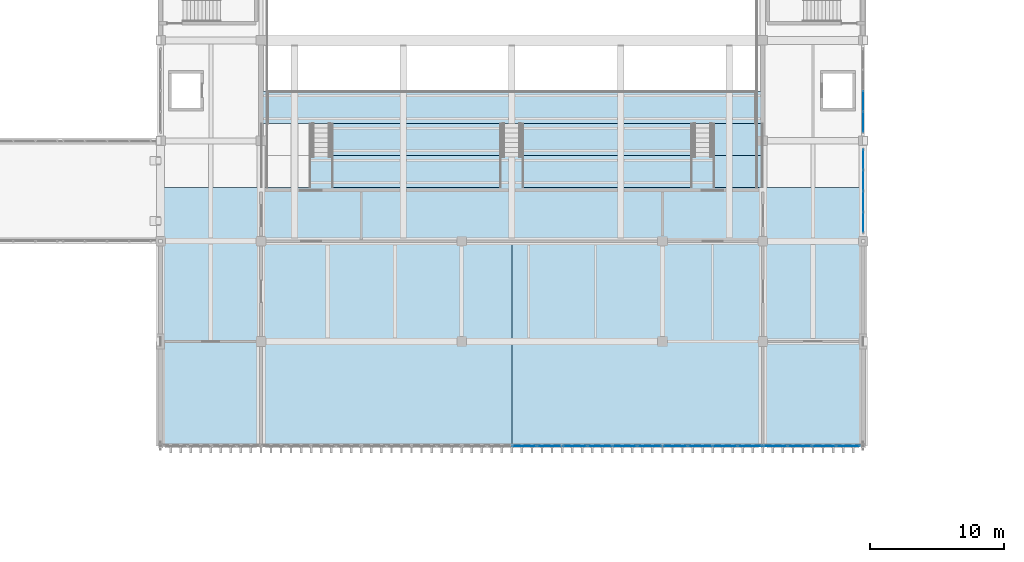
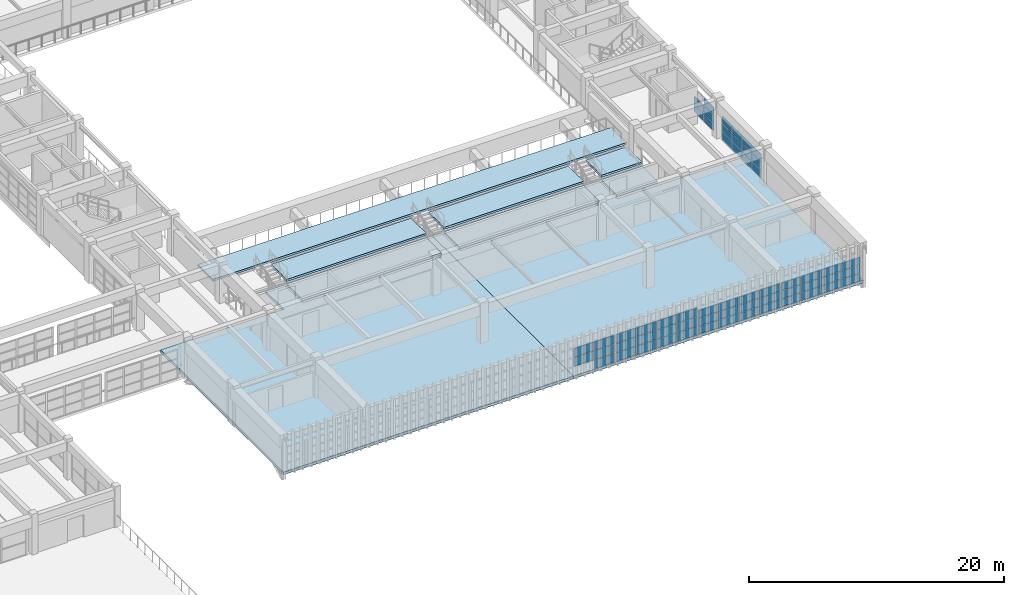
# One storey, part 65 of 101: 58 plates, 9 slabs, 6 elements without a shape of their own.
"""IFC4 building model written with IfcOpenShell, lengths in metres."""

from ifc_helpers import new_model, si_unit, direction, frame, origin, origin_2d, place, context, subcontext, project, spatial, polyline, rectangle, outline, extrude, material, layer, layer_set, type_object, element, aggregate, save


model = new_model("IFC4")

# Units and contexts
model_context = context("Model", 3, precision=1e-05, world=origin(), true_north=direction((0.0, 1.0)))
body_context = subcontext(model_context, "Body", "Model", "MODEL_VIEW")
ifc_project = project(units=[si_unit("LENGTHUNIT", "METRE"), si_unit("AREAUNIT", "SQUARE_METRE"), si_unit("VOLUMEUNIT", "CUBIC_METRE"), si_unit("PLANEANGLEUNIT", "RADIAN"), si_unit("MASSUNIT", "GRAM", prefix="KILO")], contexts=[model_context])

# Site, building, storey
site_placement = place(None, origin())
site = spatial("IfcSite", under=ifc_project, at=site_placement, CompositionType="ELEMENT")
building_placement = place(site_placement, origin())
building = spatial("IfcBuilding", under=site, at=building_placement, Name="Qasida Concert Hall", CompositionType="ELEMENT")
storey_placement = place(building_placement, frame((0.0, 0.0, 13.199951171875)))
storey = spatial("IfcBuildingStorey", under=building, at=storey_placement, Name="L03", CompositionType="ELEMENT", Elevation=13.199951171875)

# Curtain wall, plates
ifc_material_1 = material(Name="Architectural bronze-anodized aluminium and low-E glass", Category="aluminium")
curtain_wall_type = type_object("IfcCurtainWallType", Name="CW-04", PredefinedType="NOTDEFINED", material=ifc_material_1)
curtain_wall_1_placement = place(storey_placement, origin())
curtain_wall_1 = element("IfcCurtainWall", 1, at=curtain_wall_1_placement, inside=storey, type_object=curtain_wall_type, Name="L03 curtain wall CW-04 0018", PredefinedType="NOTDEFINED")
ifc_material_2 = material(Name="Solar-control low-E double glazing", Category="glass")
ifc_layer_1 = layer(ifc_material_2, 0.031982421875, Name="Solar-control low-E double glazing")
ifc_layer_set_1 = layer_set([ifc_layer_1], Name="Solar-control low-E double glazing")
plate_type = type_object("IfcPlateType", Name="PLT-CWP-2", PredefinedType="CURTAIN_PANEL", material=ifc_layer_set_1)
plate_1_placement = place(storey_placement, frame((79.6826171875, 14.699951171875, 0.9267578125), z_axis=(0.0, 0.0, 1.0), x_axis=(1.0, 0.0, 0.0)))
plate_1 = element("IfcPlate", 2, at=plate_1_placement, type_object=plate_type, Name="CW-04 panel 3.2", PredefinedType="CURTAIN_PANEL", context=body_context, shape_type="SweptSolid", body=[
    extrude(rectangle(XDim=1.800048828125, YDim=0.031982421875, at=origin_2d()), origin(), (0.0, 0.0, 1.0), 0.836669921875),
])
plate_2_placement = place(storey_placement, frame((79.6826171875, 14.699951171875, 1.823486328125), z_axis=(0.0, 0.0, 1.0), x_axis=(1.0, 0.0, 0.0)))
plate_2 = element("IfcPlate", 3, at=plate_2_placement, type_object=plate_type, Name="CW-04 panel 3.3", PredefinedType="CURTAIN_PANEL", context=body_context, shape_type="SweptSolid", body=[
    extrude(rectangle(XDim=1.800048828125, YDim=0.031982421875, at=origin_2d()), origin(), (0.0, 0.0, 1.0), 0.806640625),
])
plate_3_placement = place(storey_placement, frame((81.53125, 14.699951171875, 0.06005859375), z_axis=(0.0, 0.0, 1.0), x_axis=(1.0, 0.0, 0.0)))
plate_3 = element("IfcPlate", 4, at=plate_3_placement, type_object=plate_type, Name="CW-04 panel 4.1", PredefinedType="CURTAIN_PANEL", context=body_context, shape_type="SweptSolid", body=[
    extrude(rectangle(XDim=1.767578125, YDim=0.031982421875, at=origin_2d()), origin(), (0.0, 0.0, 1.0), 0.806640625),
])
plate_4_placement = place(storey_placement, frame((81.53125, 14.699951171875, 0.9267578125), z_axis=(0.0, 0.0, 1.0), x_axis=(1.0, 0.0, 0.0)))
plate_4 = element("IfcPlate", 5, at=plate_4_placement, type_object=plate_type, Name="CW-04 panel 4.2", PredefinedType="CURTAIN_PANEL", context=body_context, shape_type="SweptSolid", body=[
    extrude(rectangle(XDim=1.767578125, YDim=0.031982421875, at=origin_2d()), origin(), (0.0, 0.0, 1.0), 0.836669921875),
])
plate_5_placement = place(storey_placement, frame((81.53125, 14.699951171875, 1.823486328125), z_axis=(0.0, 0.0, 1.0), x_axis=(1.0, 0.0, 0.0)))
plate_5 = element("IfcPlate", 6, at=plate_5_placement, type_object=plate_type, Name="CW-04 panel 4.3", PredefinedType="CURTAIN_PANEL", context=body_context, shape_type="SweptSolid", body=[
    extrude(rectangle(XDim=1.767578125, YDim=0.031982421875, at=origin_2d()), origin(), (0.0, 0.0, 1.0), 0.806640625),
])
aggregate(curtain_wall_1, [plate_1, plate_2, plate_3, plate_4, plate_5])

curtain_wall_2_placement = place(storey_placement, origin())
curtain_wall_2 = element("IfcCurtainWall", 7, at=curtain_wall_2_placement, inside=storey, type_object=curtain_wall_type, Name="L03 curtain wall CW-04 0019", PredefinedType="NOTDEFINED")
plate_6_placement = place(storey_placement, frame((83.46875, 14.699951171875, 0.06005859375), z_axis=(0.0, 0.0, 1.0), x_axis=(1.0, 0.0, 0.0)))
plate_6 = element("IfcPlate", 8, at=plate_6_placement, type_object=plate_type, Name="CW-04 panel 1.1", PredefinedType="CURTAIN_PANEL", context=body_context, shape_type="SweptSolid", body=[
    extrude(rectangle(XDim=1.767578125, YDim=0.031982421875, at=origin_2d()), origin(), (0.0, 0.0, 1.0), 0.806640625),
])
plate_7_placement = place(storey_placement, frame((83.46875, 14.699951171875, 0.9267578125), z_axis=(0.0, 0.0, 1.0), x_axis=(1.0, 0.0, 0.0)))
plate_7 = element("IfcPlate", 9, at=plate_7_placement, type_object=plate_type, Name="CW-04 panel 1.2", PredefinedType="CURTAIN_PANEL", context=body_context, shape_type="SweptSolid", body=[
    extrude(rectangle(XDim=1.767578125, YDim=0.031982421875, at=origin_2d()), origin(), (0.0, 0.0, 1.0), 0.836669921875),
])
plate_8_placement = place(storey_placement, frame((83.46875, 14.699951171875, 1.823486328125), z_axis=(0.0, 0.0, 1.0), x_axis=(1.0, 0.0, 0.0)))
plate_8 = element("IfcPlate", 10, at=plate_8_placement, type_object=plate_type, Name="CW-04 panel 1.3", PredefinedType="CURTAIN_PANEL", context=body_context, shape_type="SweptSolid", body=[
    extrude(rectangle(XDim=1.767578125, YDim=0.031982421875, at=origin_2d()), origin(), (0.0, 0.0, 1.0), 0.806640625),
])
plate_9_placement = place(storey_placement, frame((85.3173828125, 14.699951171875, 0.06005859375), z_axis=(0.0, 0.0, 1.0), x_axis=(1.0, 0.0, 0.0)))
plate_9 = element("IfcPlate", 11, at=plate_9_placement, type_object=plate_type, Name="CW-04 panel 2.1", PredefinedType="CURTAIN_PANEL", context=body_context, shape_type="SweptSolid", body=[
    extrude(rectangle(XDim=1.800048828125, YDim=0.031982421875, at=origin_2d()), origin(), (0.0, 0.0, 1.0), 0.806640625),
])
plate_10_placement = place(storey_placement, frame((85.3173828125, 14.699951171875, 0.9267578125), z_axis=(0.0, 0.0, 1.0), x_axis=(1.0, 0.0, 0.0)))
plate_10 = element("IfcPlate", 12, at=plate_10_placement, type_object=plate_type, Name="CW-04 panel 2.2", PredefinedType="CURTAIN_PANEL", context=body_context, shape_type="SweptSolid", body=[
    extrude(rectangle(XDim=1.800048828125, YDim=0.031982421875, at=origin_2d()), origin(), (0.0, 0.0, 1.0), 0.836669921875),
])
plate_11_placement = place(storey_placement, frame((85.3173828125, 14.699951171875, 1.823486328125), z_axis=(0.0, 0.0, 1.0), x_axis=(1.0, 0.0, 0.0)))
plate_11 = element("IfcPlate", 13, at=plate_11_placement, type_object=plate_type, Name="CW-04 panel 2.3", PredefinedType="CURTAIN_PANEL", context=body_context, shape_type="SweptSolid", body=[
    extrude(rectangle(XDim=1.800048828125, YDim=0.031982421875, at=origin_2d()), origin(), (0.0, 0.0, 1.0), 0.806640625),
])
plate_12_placement = place(storey_placement, frame((87.1826171875, 14.699951171875, 0.06005859375), z_axis=(0.0, 0.0, 1.0), x_axis=(1.0, 0.0, 0.0)))
plate_12 = element("IfcPlate", 14, at=plate_12_placement, type_object=plate_type, Name="CW-04 panel 3.1", PredefinedType="CURTAIN_PANEL", context=body_context, shape_type="SweptSolid", body=[
    extrude(rectangle(XDim=1.800048828125, YDim=0.031982421875, at=origin_2d()), origin(), (0.0, 0.0, 1.0), 0.806640625),
])
plate_13_placement = place(storey_placement, frame((87.1826171875, 14.699951171875, 0.9267578125), z_axis=(0.0, 0.0, 1.0), x_axis=(1.0, 0.0, 0.0)))
plate_13 = element("IfcPlate", 15, at=plate_13_placement, type_object=plate_type, Name="CW-04 panel 3.2", PredefinedType="CURTAIN_PANEL", context=body_context, shape_type="SweptSolid", body=[
    extrude(rectangle(XDim=1.800048828125, YDim=0.031982421875, at=origin_2d()), origin(), (0.0, 0.0, 1.0), 0.836669921875),
])
plate_14_placement = place(storey_placement, frame((87.1826171875, 14.699951171875, 1.823486328125), z_axis=(0.0, 0.0, 1.0), x_axis=(1.0, 0.0, 0.0)))
plate_14 = element("IfcPlate", 16, at=plate_14_placement, type_object=plate_type, Name="CW-04 panel 3.3", PredefinedType="CURTAIN_PANEL", context=body_context, shape_type="SweptSolid", body=[
    extrude(rectangle(XDim=1.800048828125, YDim=0.031982421875, at=origin_2d()), origin(), (0.0, 0.0, 1.0), 0.806640625),
])
plate_15_placement = place(storey_placement, frame((89.03125, 14.699951171875, 0.06005859375), z_axis=(0.0, 0.0, 1.0), x_axis=(1.0, 0.0, 0.0)))
plate_15 = element("IfcPlate", 17, at=plate_15_placement, type_object=plate_type, Name="CW-04 panel 4.1", PredefinedType="CURTAIN_PANEL", context=body_context, shape_type="SweptSolid", body=[
    extrude(rectangle(XDim=1.767578125, YDim=0.031982421875, at=origin_2d()), origin(), (0.0, 0.0, 1.0), 0.806640625),
])
plate_16_placement = place(storey_placement, frame((89.03125, 14.699951171875, 0.9267578125), z_axis=(0.0, 0.0, 1.0), x_axis=(1.0, 0.0, 0.0)))
plate_16 = element("IfcPlate", 18, at=plate_16_placement, type_object=plate_type, Name="CW-04 panel 4.2", PredefinedType="CURTAIN_PANEL", context=body_context, shape_type="SweptSolid", body=[
    extrude(rectangle(XDim=1.767578125, YDim=0.031982421875, at=origin_2d()), origin(), (0.0, 0.0, 1.0), 0.836669921875),
])
plate_17_placement = place(storey_placement, frame((89.03125, 14.699951171875, 1.823486328125), z_axis=(0.0, 0.0, 1.0), x_axis=(1.0, 0.0, 0.0)))
plate_17 = element("IfcPlate", 19, at=plate_17_placement, type_object=plate_type, Name="CW-04 panel 4.3", PredefinedType="CURTAIN_PANEL", context=body_context, shape_type="SweptSolid", body=[
    extrude(rectangle(XDim=1.767578125, YDim=0.031982421875, at=origin_2d()), origin(), (0.0, 0.0, 1.0), 0.806640625),
])
aggregate(curtain_wall_2, [plate_6, plate_7, plate_8, plate_9, plate_10, plate_11, plate_12, plate_13, plate_14, plate_15, plate_16, plate_17])

curtain_wall_3_placement = place(storey_placement, origin())
curtain_wall_3 = element("IfcCurtainWall", 20, at=curtain_wall_3_placement, inside=storey, type_object=curtain_wall_type, Name="L03 curtain wall CW-04 0020", PredefinedType="NOTDEFINED")
plate_18_placement = place(storey_placement, frame((90.96875, 14.699951171875, 0.06005859375), z_axis=(0.0, 0.0, 1.0), x_axis=(1.0, 0.0, 0.0)))
plate_18 = element("IfcPlate", 21, at=plate_18_placement, type_object=plate_type, Name="CW-04 panel 1.1", PredefinedType="CURTAIN_PANEL", context=body_context, shape_type="SweptSolid", body=[
    extrude(rectangle(XDim=1.767578125, YDim=0.031982421875, at=origin_2d()), origin(), (0.0, 0.0, 1.0), 0.706787109375),
])
plate_19_placement = place(storey_placement, frame((90.96875, 14.699951171875, 0.82666015625), z_axis=(0.0, 0.0, 1.0), x_axis=(1.0, 0.0, 0.0)))
plate_19 = element("IfcPlate", 22, at=plate_19_placement, type_object=plate_type, Name="CW-04 panel 1.2", PredefinedType="CURTAIN_PANEL", context=body_context, shape_type="SweptSolid", body=[
    extrude(rectangle(XDim=1.767578125, YDim=0.031982421875, at=origin_2d()), origin(), (0.0, 0.0, 1.0), 0.736572265625),
])
plate_20_placement = place(storey_placement, frame((90.96875, 14.699951171875, 1.62353515625), z_axis=(0.0, 0.0, 1.0), x_axis=(1.0, 0.0, 0.0)))
plate_20 = element("IfcPlate", 23, at=plate_20_placement, type_object=plate_type, Name="CW-04 panel 1.3", PredefinedType="CURTAIN_PANEL", context=body_context, shape_type="SweptSolid", body=[
    extrude(rectangle(XDim=1.767578125, YDim=0.031982421875, at=origin_2d()), origin(), (0.0, 0.0, 1.0), 0.706787109375),
])
plate_21_placement = place(storey_placement, frame((92.8173828125, 14.699951171875, 0.06005859375), z_axis=(0.0, 0.0, 1.0), x_axis=(1.0, 0.0, 0.0)))
plate_21 = element("IfcPlate", 24, at=plate_21_placement, type_object=plate_type, Name="CW-04 panel 2.1", PredefinedType="CURTAIN_PANEL", context=body_context, shape_type="SweptSolid", body=[
    extrude(rectangle(XDim=1.800048828125, YDim=0.031982421875, at=origin_2d()), origin(), (0.0, 0.0, 1.0), 0.706787109375),
])
plate_22_placement = place(storey_placement, frame((92.8173828125, 14.699951171875, 0.82666015625), z_axis=(0.0, 0.0, 1.0), x_axis=(1.0, 0.0, 0.0)))
plate_22 = element("IfcPlate", 25, at=plate_22_placement, type_object=plate_type, Name="CW-04 panel 2.2", PredefinedType="CURTAIN_PANEL", context=body_context, shape_type="SweptSolid", body=[
    extrude(rectangle(XDim=1.800048828125, YDim=0.031982421875, at=origin_2d()), origin(), (0.0, 0.0, 1.0), 0.736572265625),
])
plate_23_placement = place(storey_placement, frame((92.8173828125, 14.699951171875, 1.62353515625), z_axis=(0.0, 0.0, 1.0), x_axis=(1.0, 0.0, 0.0)))
plate_23 = element("IfcPlate", 26, at=plate_23_placement, type_object=plate_type, Name="CW-04 panel 2.3", PredefinedType="CURTAIN_PANEL", context=body_context, shape_type="SweptSolid", body=[
    extrude(rectangle(XDim=1.800048828125, YDim=0.031982421875, at=origin_2d()), origin(), (0.0, 0.0, 1.0), 0.706787109375),
])
plate_24_placement = place(storey_placement, frame((94.6826171875, 14.699951171875, 0.06005859375), z_axis=(0.0, 0.0, 1.0), x_axis=(1.0, 0.0, 0.0)))
plate_24 = element("IfcPlate", 27, at=plate_24_placement, type_object=plate_type, Name="CW-04 panel 3.1", PredefinedType="CURTAIN_PANEL", context=body_context, shape_type="SweptSolid", body=[
    extrude(rectangle(XDim=1.800048828125, YDim=0.031982421875, at=origin_2d()), origin(), (0.0, 0.0, 1.0), 0.706787109375),
])
plate_25_placement = place(storey_placement, frame((94.6826171875, 14.699951171875, 0.82666015625), z_axis=(0.0, 0.0, 1.0), x_axis=(1.0, 0.0, 0.0)))
plate_25 = element("IfcPlate", 28, at=plate_25_placement, type_object=plate_type, Name="CW-04 panel 3.2", PredefinedType="CURTAIN_PANEL", context=body_context, shape_type="SweptSolid", body=[
    extrude(rectangle(XDim=1.800048828125, YDim=0.031982421875, at=origin_2d()), origin(), (0.0, 0.0, 1.0), 0.736572265625),
])
plate_26_placement = place(storey_placement, frame((94.6826171875, 14.699951171875, 1.62353515625), z_axis=(0.0, 0.0, 1.0), x_axis=(1.0, 0.0, 0.0)))
plate_26 = element("IfcPlate", 29, at=plate_26_placement, type_object=plate_type, Name="CW-04 panel 3.3", PredefinedType="CURTAIN_PANEL", context=body_context, shape_type="SweptSolid", body=[
    extrude(rectangle(XDim=1.800048828125, YDim=0.031982421875, at=origin_2d()), origin(), (0.0, 0.0, 1.0), 0.706787109375),
])
plate_27_placement = place(storey_placement, frame((96.53125, 14.699951171875, 0.06005859375), z_axis=(0.0, 0.0, 1.0), x_axis=(1.0, 0.0, 0.0)))
plate_27 = element("IfcPlate", 30, at=plate_27_placement, type_object=plate_type, Name="CW-04 panel 4.1", PredefinedType="CURTAIN_PANEL", context=body_context, shape_type="SweptSolid", body=[
    extrude(rectangle(XDim=1.767578125, YDim=0.031982421875, at=origin_2d()), origin(), (0.0, 0.0, 1.0), 0.706787109375),
])
plate_28_placement = place(storey_placement, frame((96.53125, 14.699951171875, 0.82666015625), z_axis=(0.0, 0.0, 1.0), x_axis=(1.0, 0.0, 0.0)))
plate_28 = element("IfcPlate", 31, at=plate_28_placement, type_object=plate_type, Name="CW-04 panel 4.2", PredefinedType="CURTAIN_PANEL", context=body_context, shape_type="SweptSolid", body=[
    extrude(rectangle(XDim=1.767578125, YDim=0.031982421875, at=origin_2d()), origin(), (0.0, 0.0, 1.0), 0.736572265625),
])
plate_29_placement = place(storey_placement, frame((96.53125, 14.699951171875, 1.62353515625), z_axis=(0.0, 0.0, 1.0), x_axis=(1.0, 0.0, 0.0)))
plate_29 = element("IfcPlate", 32, at=plate_29_placement, type_object=plate_type, Name="CW-04 panel 4.3", PredefinedType="CURTAIN_PANEL", context=body_context, shape_type="SweptSolid", body=[
    extrude(rectangle(XDim=1.767578125, YDim=0.031982421875, at=origin_2d()), origin(), (0.0, 0.0, 1.0), 0.706787109375),
])
aggregate(curtain_wall_3, [plate_18, plate_19, plate_20, plate_21, plate_22, plate_23, plate_24, plate_25, plate_26, plate_27, plate_28, plate_29])

curtain_wall_4_placement = place(storey_placement, origin())
curtain_wall_4 = element("IfcCurtainWall", 33, at=curtain_wall_4_placement, inside=storey, type_object=curtain_wall_type, Name="L03 curtain wall CW-04 0021", PredefinedType="NOTDEFINED")
plate_30_placement = place(storey_placement, frame((98.4462890625, 14.699951171875, 0.06005859375), z_axis=(0.0, 0.0, 1.0), x_axis=(1.0, 0.0, 0.0)))
plate_30 = element("IfcPlate", 34, at=plate_30_placement, type_object=plate_type, Name="CW-04 panel 1.1", PredefinedType="CURTAIN_PANEL", context=body_context, shape_type="SweptSolid", body=[
    extrude(rectangle(XDim=1.722412109375, YDim=0.031982421875, at=origin_2d()), origin(), (0.0, 0.0, 1.0), 0.706787109375),
])
plate_31_placement = place(storey_placement, frame((98.4462890625, 14.699951171875, 0.82666015625), z_axis=(0.0, 0.0, 1.0), x_axis=(1.0, 0.0, 0.0)))
plate_31 = element("IfcPlate", 35, at=plate_31_placement, type_object=plate_type, Name="CW-04 panel 1.2", PredefinedType="CURTAIN_PANEL", context=body_context, shape_type="SweptSolid", body=[
    extrude(rectangle(XDim=1.722412109375, YDim=0.031982421875, at=origin_2d()), origin(), (0.0, 0.0, 1.0), 0.736572265625),
])
plate_32_placement = place(storey_placement, frame((98.4462890625, 14.699951171875, 1.62353515625), z_axis=(0.0, 0.0, 1.0), x_axis=(1.0, 0.0, 0.0)))
plate_32 = element("IfcPlate", 36, at=plate_32_placement, type_object=plate_type, Name="CW-04 panel 1.3", PredefinedType="CURTAIN_PANEL", context=body_context, shape_type="SweptSolid", body=[
    extrude(rectangle(XDim=1.722412109375, YDim=0.031982421875, at=origin_2d()), origin(), (0.0, 0.0, 1.0), 0.706787109375),
])
plate_33_placement = place(storey_placement, frame((100.25, 14.699951171875, 0.06005859375), z_axis=(0.0, 0.0, 1.0), x_axis=(1.0, 0.0, 0.0)))
plate_33 = element("IfcPlate", 37, at=plate_33_placement, type_object=plate_type, Name="CW-04 panel 2.1", PredefinedType="CURTAIN_PANEL", context=body_context, shape_type="SweptSolid", body=[
    extrude(rectangle(XDim=1.7548828125, YDim=0.031982421875, at=origin_2d()), origin(), (0.0, 0.0, 1.0), 0.706787109375),
])
plate_34_placement = place(storey_placement, frame((100.25, 14.699951171875, 0.82666015625), z_axis=(0.0, 0.0, 1.0), x_axis=(1.0, 0.0, 0.0)))
plate_34 = element("IfcPlate", 38, at=plate_34_placement, type_object=plate_type, Name="CW-04 panel 2.2", PredefinedType="CURTAIN_PANEL", context=body_context, shape_type="SweptSolid", body=[
    extrude(rectangle(XDim=1.7548828125, YDim=0.031982421875, at=origin_2d()), origin(), (0.0, 0.0, 1.0), 0.736572265625),
])
plate_35_placement = place(storey_placement, frame((100.25, 14.699951171875, 1.62353515625), z_axis=(0.0, 0.0, 1.0), x_axis=(1.0, 0.0, 0.0)))
plate_35 = element("IfcPlate", 39, at=plate_35_placement, type_object=plate_type, Name="CW-04 panel 2.3", PredefinedType="CURTAIN_PANEL", context=body_context, shape_type="SweptSolid", body=[
    extrude(rectangle(XDim=1.7548828125, YDim=0.031982421875, at=origin_2d()), origin(), (0.0, 0.0, 1.0), 0.706787109375),
])
plate_36_placement = place(storey_placement, frame((102.070068359375, 14.699951171875, 0.06005859375), z_axis=(0.0, 0.0, 1.0), x_axis=(1.0, 0.0, 0.0)))
plate_36 = element("IfcPlate", 40, at=plate_36_placement, type_object=plate_type, Name="CW-04 panel 3.1", PredefinedType="CURTAIN_PANEL", context=body_context, shape_type="SweptSolid", body=[
    extrude(rectangle(XDim=1.7548828125, YDim=0.031982421875, at=origin_2d()), origin(), (0.0, 0.0, 1.0), 0.706787109375),
])
plate_37_placement = place(storey_placement, frame((102.070068359375, 14.699951171875, 0.82666015625), z_axis=(0.0, 0.0, 1.0), x_axis=(1.0, 0.0, 0.0)))
plate_37 = element("IfcPlate", 41, at=plate_37_placement, type_object=plate_type, Name="CW-04 panel 3.2", PredefinedType="CURTAIN_PANEL", context=body_context, shape_type="SweptSolid", body=[
    extrude(rectangle(XDim=1.7548828125, YDim=0.031982421875, at=origin_2d()), origin(), (0.0, 0.0, 1.0), 0.736572265625),
])
plate_38_placement = place(storey_placement, frame((102.070068359375, 14.699951171875, 1.62353515625), z_axis=(0.0, 0.0, 1.0), x_axis=(1.0, 0.0, 0.0)))
plate_38 = element("IfcPlate", 42, at=plate_38_placement, type_object=plate_type, Name="CW-04 panel 3.3", PredefinedType="CURTAIN_PANEL", context=body_context, shape_type="SweptSolid", body=[
    extrude(rectangle(XDim=1.7548828125, YDim=0.031982421875, at=origin_2d()), origin(), (0.0, 0.0, 1.0), 0.706787109375),
])
plate_39_placement = place(storey_placement, frame((103.873779296875, 14.699951171875, 0.06005859375), z_axis=(0.0, 0.0, 1.0), x_axis=(1.0, 0.0, 0.0)))
plate_39 = element("IfcPlate", 43, at=plate_39_placement, type_object=plate_type, Name="CW-04 panel 4.1", PredefinedType="CURTAIN_PANEL", context=body_context, shape_type="SweptSolid", body=[
    extrude(rectangle(XDim=1.722412109375, YDim=0.031982421875, at=origin_2d()), origin(), (0.0, 0.0, 1.0), 0.706787109375),
])
plate_40_placement = place(storey_placement, frame((103.873779296875, 14.699951171875, 0.82666015625), z_axis=(0.0, 0.0, 1.0), x_axis=(1.0, 0.0, 0.0)))
plate_40 = element("IfcPlate", 44, at=plate_40_placement, type_object=plate_type, Name="CW-04 panel 4.2", PredefinedType="CURTAIN_PANEL", context=body_context, shape_type="SweptSolid", body=[
    extrude(rectangle(XDim=1.722412109375, YDim=0.031982421875, at=origin_2d()), origin(), (0.0, 0.0, 1.0), 0.736572265625),
])
plate_41_placement = place(storey_placement, frame((103.873779296875, 14.699951171875, 1.62353515625), z_axis=(0.0, 0.0, 1.0), x_axis=(1.0, 0.0, 0.0)))
plate_41 = element("IfcPlate", 45, at=plate_41_placement, type_object=plate_type, Name="CW-04 panel 4.3", PredefinedType="CURTAIN_PANEL", context=body_context, shape_type="SweptSolid", body=[
    extrude(rectangle(XDim=1.722412109375, YDim=0.031982421875, at=origin_2d()), origin(), (0.0, 0.0, 1.0), 0.706787109375),
])
aggregate(curtain_wall_4, [plate_30, plate_31, plate_32, plate_33, plate_34, plate_35, plate_36, plate_37, plate_38, plate_39, plate_40, plate_41])

curtain_wall_5_placement = place(storey_placement, origin())
curtain_wall_5 = element("IfcCurtainWall", 46, at=curtain_wall_5_placement, inside=storey, type_object=curtain_wall_type, Name="L03 curtain wall CW-04 0051", PredefinedType="NOTDEFINED")
plate_42_placement = place(storey_placement, frame((105.0, 31.418701171875, 0.06005859375), z_axis=(0.0, 0.0, 1.0), x_axis=(0.0, 1.0, 0.0)))
plate_42 = element("IfcPlate", 47, at=plate_42_placement, type_object=plate_type, Name="CW-04 panel 1.1", PredefinedType="CURTAIN_PANEL", context=body_context, shape_type="SweptSolid", body=[
    extrude(rectangle(XDim=1.467529296875, YDim=0.031982421875, at=origin_2d()), origin(), (0.0, 0.0, 1.0), 0.706787109375),
])
plate_43_placement = place(storey_placement, frame((105.0, 31.418701171875, 0.82666015625), z_axis=(0.0, 0.0, 1.0), x_axis=(0.0, 1.0, 0.0)))
plate_43 = element("IfcPlate", 48, at=plate_43_placement, type_object=plate_type, Name="CW-04 panel 1.2", PredefinedType="CURTAIN_PANEL", context=body_context, shape_type="SweptSolid", body=[
    extrude(rectangle(XDim=1.467529296875, YDim=0.031982421875, at=origin_2d()), origin(), (0.0, 0.0, 1.0), 0.736572265625),
])
plate_44_placement = place(storey_placement, frame((105.0, 31.418701171875, 1.62353515625), z_axis=(0.0, 0.0, 1.0), x_axis=(0.0, 1.0, 0.0)))
plate_44 = element("IfcPlate", 49, at=plate_44_placement, type_object=plate_type, Name="CW-04 panel 1.3", PredefinedType="CURTAIN_PANEL", context=body_context, shape_type="SweptSolid", body=[
    extrude(rectangle(XDim=1.467529296875, YDim=0.031982421875, at=origin_2d()), origin(), (0.0, 0.0, 1.0), 0.706787109375),
])
plate_45_placement = place(storey_placement, frame((105.0, 32.967529296875, 0.06005859375), z_axis=(0.0, 0.0, 1.0), x_axis=(0.0, 1.0, 0.0)))
plate_45 = element("IfcPlate", 50, at=plate_45_placement, type_object=plate_type, Name="CW-04 panel 2.1", PredefinedType="CURTAIN_PANEL", context=body_context, shape_type="SweptSolid", body=[
    extrude(rectangle(XDim=1.5, YDim=0.031982421875, at=origin_2d()), origin(), (0.0, 0.0, 1.0), 0.706787109375),
])
plate_46_placement = place(storey_placement, frame((105.0, 32.967529296875, 0.82666015625), z_axis=(0.0, 0.0, 1.0), x_axis=(0.0, 1.0, 0.0)))
plate_46 = element("IfcPlate", 51, at=plate_46_placement, type_object=plate_type, Name="CW-04 panel 2.2", PredefinedType="CURTAIN_PANEL", context=body_context, shape_type="SweptSolid", body=[
    extrude(rectangle(XDim=1.5, YDim=0.031982421875, at=origin_2d()), origin(), (0.0, 0.0, 1.0), 0.736572265625),
])
plate_47_placement = place(storey_placement, frame((105.0, 32.967529296875, 1.62353515625), z_axis=(0.0, 0.0, 1.0), x_axis=(0.0, 1.0, 0.0)))
plate_47 = element("IfcPlate", 52, at=plate_47_placement, type_object=plate_type, Name="CW-04 panel 2.3", PredefinedType="CURTAIN_PANEL", context=body_context, shape_type="SweptSolid", body=[
    extrude(rectangle(XDim=1.5, YDim=0.031982421875, at=origin_2d()), origin(), (0.0, 0.0, 1.0), 0.706787109375),
])
plate_48_placement = place(storey_placement, frame((105.0, 34.532470703125, 0.06005859375), z_axis=(0.0, 0.0, 1.0), x_axis=(0.0, 1.0, 0.0)))
plate_48 = element("IfcPlate", 53, at=plate_48_placement, type_object=plate_type, Name="CW-04 panel 3.1", PredefinedType="CURTAIN_PANEL", context=body_context, shape_type="SweptSolid", body=[
    extrude(rectangle(XDim=1.5, YDim=0.031982421875, at=origin_2d()), origin(), (0.0, 0.0, 1.0), 0.706787109375),
])
plate_49_placement = place(storey_placement, frame((105.0, 34.532470703125, 0.82666015625), z_axis=(0.0, 0.0, 1.0), x_axis=(0.0, 1.0, 0.0)))
plate_49 = element("IfcPlate", 54, at=plate_49_placement, type_object=plate_type, Name="CW-04 panel 3.2", PredefinedType="CURTAIN_PANEL", context=body_context, shape_type="SweptSolid", body=[
    extrude(rectangle(XDim=1.5, YDim=0.031982421875, at=origin_2d()), origin(), (0.0, 0.0, 1.0), 0.736572265625),
])
plate_50_placement = place(storey_placement, frame((105.0, 34.532470703125, 1.62353515625), z_axis=(0.0, 0.0, 1.0), x_axis=(0.0, 1.0, 0.0)))
plate_50 = element("IfcPlate", 55, at=plate_50_placement, type_object=plate_type, Name="CW-04 panel 3.3", PredefinedType="CURTAIN_PANEL", context=body_context, shape_type="SweptSolid", body=[
    extrude(rectangle(XDim=1.5, YDim=0.031982421875, at=origin_2d()), origin(), (0.0, 0.0, 1.0), 0.706787109375),
])
plate_51_placement = place(storey_placement, frame((105.0, 36.081298828125, 0.06005859375), z_axis=(0.0, 0.0, 1.0), x_axis=(0.0, 1.0, 0.0)))
plate_51 = element("IfcPlate", 56, at=plate_51_placement, type_object=plate_type, Name="CW-04 panel 4.1", PredefinedType="CURTAIN_PANEL", context=body_context, shape_type="SweptSolid", body=[
    extrude(rectangle(XDim=1.467529296875, YDim=0.031982421875, at=origin_2d()), origin(), (0.0, 0.0, 1.0), 0.706787109375),
])
plate_52_placement = place(storey_placement, frame((105.0, 36.081298828125, 0.82666015625), z_axis=(0.0, 0.0, 1.0), x_axis=(0.0, 1.0, 0.0)))
plate_52 = element("IfcPlate", 57, at=plate_52_placement, type_object=plate_type, Name="CW-04 panel 4.2", PredefinedType="CURTAIN_PANEL", context=body_context, shape_type="SweptSolid", body=[
    extrude(rectangle(XDim=1.467529296875, YDim=0.031982421875, at=origin_2d()), origin(), (0.0, 0.0, 1.0), 0.736572265625),
])
plate_53_placement = place(storey_placement, frame((105.0, 36.081298828125, 1.62353515625), z_axis=(0.0, 0.0, 1.0), x_axis=(0.0, 1.0, 0.0)))
plate_53 = element("IfcPlate", 58, at=plate_53_placement, type_object=plate_type, Name="CW-04 panel 4.3", PredefinedType="CURTAIN_PANEL", context=body_context, shape_type="SweptSolid", body=[
    extrude(rectangle(XDim=1.467529296875, YDim=0.031982421875, at=origin_2d()), origin(), (0.0, 0.0, 1.0), 0.706787109375),
])
aggregate(curtain_wall_5, [plate_42, plate_43, plate_44, plate_45, plate_46, plate_47, plate_48, plate_49, plate_50, plate_51, plate_52, plate_53])

curtain_wall_6_placement = place(storey_placement, origin())
curtain_wall_6 = element("IfcCurtainWall", 59, at=curtain_wall_6_placement, inside=storey, type_object=curtain_wall_type, Name="L03 curtain wall CW-04 0053", PredefinedType="NOTDEFINED")
plate_54_placement = place(storey_placement, frame((105.0, 38.918701171875, 0.06005859375), z_axis=(0.0, 0.0, 1.0), x_axis=(0.0, 1.0, 0.0)))
plate_54 = element("IfcPlate", 60, at=plate_54_placement, type_object=plate_type, Name="CW-04 panel 1.1", PredefinedType="CURTAIN_PANEL", context=body_context, shape_type="SweptSolid", body=[
    extrude(rectangle(XDim=1.467529296875, YDim=0.031982421875, at=origin_2d()), origin(), (0.0, 0.0, 1.0), 0.706787109375),
])
plate_55_placement = place(storey_placement, frame((105.0, 38.918701171875, 0.82666015625), z_axis=(0.0, 0.0, 1.0), x_axis=(0.0, 1.0, 0.0)))
plate_55 = element("IfcPlate", 61, at=plate_55_placement, type_object=plate_type, Name="CW-04 panel 1.2", PredefinedType="CURTAIN_PANEL", context=body_context, shape_type="SweptSolid", body=[
    extrude(rectangle(XDim=1.467529296875, YDim=0.031982421875, at=origin_2d()), origin(), (0.0, 0.0, 1.0), 0.736572265625),
])
plate_56_placement = place(storey_placement, frame((105.0, 38.918701171875, 1.62353515625), z_axis=(0.0, 0.0, 1.0), x_axis=(0.0, 1.0, 0.0)))
plate_56 = element("IfcPlate", 62, at=plate_56_placement, type_object=plate_type, Name="CW-04 panel 1.3", PredefinedType="CURTAIN_PANEL", context=body_context, shape_type="SweptSolid", body=[
    extrude(rectangle(XDim=1.467529296875, YDim=0.031982421875, at=origin_2d()), origin(), (0.0, 0.0, 1.0), 0.706787109375),
])
plate_57_placement = place(storey_placement, frame((105.0, 40.467529296875, 0.06005859375), z_axis=(0.0, 0.0, 1.0), x_axis=(0.0, 1.0, 0.0)))
plate_57 = element("IfcPlate", 63, at=plate_57_placement, type_object=plate_type, Name="CW-04 panel 2.1", PredefinedType="CURTAIN_PANEL", context=body_context, shape_type="SweptSolid", body=[
    extrude(rectangle(XDim=1.5, YDim=0.031982421875, at=origin_2d()), origin(), (0.0, 0.0, 1.0), 0.706787109375),
])
plate_58_placement = place(storey_placement, frame((105.0, 40.467529296875, 0.82666015625), z_axis=(0.0, 0.0, 1.0), x_axis=(0.0, 1.0, 0.0)))
plate_58 = element("IfcPlate", 64, at=plate_58_placement, type_object=plate_type, Name="CW-04 panel 2.2", PredefinedType="CURTAIN_PANEL", context=body_context, shape_type="SweptSolid", body=[
    extrude(rectangle(XDim=1.5, YDim=0.031982421875, at=origin_2d()), origin(), (0.0, 0.0, 1.0), 0.736572265625),
])
aggregate(curtain_wall_6, [plate_54, plate_55, plate_56, plate_57, plate_58])

# Slabs
ifc_material_3 = material(Name="Concrete C40/50", Category="concrete")
ifc_layer_2 = layer(ifc_material_3, 0.260009765625, Name="Concrete C40/50")
ifc_layer_set_2 = layer_set([ifc_layer_2], Name="Concrete C40/50")
slab_type_1 = type_object("IfcSlabType", Name="SL-FS-260", PredefinedType="FLOOR", material=ifc_layer_set_2)
slab_1_placement = place(storey_placement, frame((0.0, 0.0, -0.260009765625)))
element("IfcSlab", 65, at=slab_1_placement, inside=storey, type_object=slab_type_1, Name="V1 south foyer west (FS-260)", PredefinedType="FLOOR", context=body_context, shape_type="SweptSolid", body=[
    extrude(outline(polyline([(78.75, 14.699951171875), (52.5, 14.699951171875), (52.5, 34.0), (63.64990234375, 34.0), (63.64990234375, 36.85009765625), (65.35009765625, 36.85009765625), (65.35009765625, 34.0), (77.89990234375, 34.0), (77.89990234375, 36.85009765625), (78.75, 36.85009765625), (78.75, 34.0), (78.75, 33.949951171875), (78.75, 14.699951171875)])), origin(), (0.0, 0.0, 1.0), 0.260009765625),
])
slab_2_placement = place(storey_placement, frame((0.0, 0.0, -0.260009765625)))
element("IfcSlab", 66, at=slab_2_placement, inside=storey, type_object=slab_type_1, Name="V1 south foyer east (FS-260)", PredefinedType="FLOOR", context=body_context, shape_type="SweptSolid", body=[
    extrude(outline(polyline([(105.0, 34.0), (105.0, 14.699951171875), (78.75, 14.699951171875), (78.75, 33.949951171875), (78.75, 34.0), (78.75, 36.85009765625), (79.60009765625, 36.85009765625), (79.60009765625, 34.0), (92.14990234375, 34.0), (92.14990234375, 36.85009765625), (93.85009765625, 36.85009765625), (93.85009765625, 34.0), (105.0, 34.0)])), origin(), (0.0, 0.0, 1.0), 0.260009765625),
])
ifc_layer_3 = layer(ifc_material_3, 0.199951171875, Name="Concrete C40/50")
ifc_layer_set_3 = layer_set([ifc_layer_3], Name="Concrete C40/50")
slab_type_2 = type_object("IfcSlabType", Name="SL-ST-TIER-200", PredefinedType="USERDEFINED", material=ifc_layer_set_3)
slab_3_placement = place(storey_placement, frame((0.0, 0.0, 0.199951171875)))
element("IfcSlab", 67, at=slab_3_placement, inside=storey, type_object=slab_type_2, Name="Stand symphony second balcony tier 1.2", ObjectType="SEATING TIER", PredefinedType="USERDEFINED", context=body_context, shape_type="SweptSolid", body=[
    extrude(outline(polyline([(65.300048828125, 34.0), (77.949951171875, 34.0), (77.949951171875, 36.39990234375), (65.300048828125, 36.39990234375), (65.300048828125, 34.0)])), origin(), (0.0, 0.0, 1.0), 0.2001953125),
])
slab_4_placement = place(storey_placement, frame((0.0, 0.0, 0.199951171875)))
element("IfcSlab", 68, at=slab_4_placement, inside=storey, type_object=slab_type_2, Name="Stand symphony second balcony tier 1.3", ObjectType="SEATING TIER", PredefinedType="USERDEFINED", context=body_context, shape_type="SweptSolid", body=[
    extrude(outline(polyline([(79.550048828125, 34.0), (92.199951171875, 34.0), (92.199951171875, 36.39990234375), (79.550048828125, 36.39990234375), (79.550048828125, 34.0)])), origin(), (0.0, 0.0, 1.0), 0.2001953125),
])
slab_5_placement = place(storey_placement, frame((0.0, 0.0, 0.199951171875)))
element("IfcSlab", 69, at=slab_5_placement, inside=storey, type_object=slab_type_2, Name="Stand symphony second balcony tier 1.4", ObjectType="SEATING TIER", PredefinedType="USERDEFINED", context=body_context, shape_type="SweptSolid", body=[
    extrude(outline(polyline([(93.800048828125, 34.0), (97.5, 34.0), (97.5, 36.39990234375), (93.800048828125, 36.39990234375), (93.800048828125, 34.0)])), origin(), (0.0, 0.0, 1.0), 0.2001953125),
])
slab_6_placement = place(storey_placement, frame((0.0, 0.0, 0.60009765625)))
element("IfcSlab", 70, at=slab_6_placement, inside=storey, type_object=slab_type_2, Name="Stand symphony second balcony tier 2.2", ObjectType="SEATING TIER", PredefinedType="USERDEFINED", context=body_context, shape_type="SweptSolid", body=[
    extrude(outline(polyline([(65.300048828125, 36.39990234375), (77.949951171875, 36.39990234375), (77.949951171875, 38.800048828125), (65.300048828125, 38.800048828125), (65.300048828125, 36.39990234375)])), origin(), (0.0, 0.0, 1.0), 0.199951171875),
])
slab_7_placement = place(storey_placement, frame((0.0, 0.0, 0.60009765625)))
element("IfcSlab", 71, at=slab_7_placement, inside=storey, type_object=slab_type_2, Name="Stand symphony second balcony tier 2.3", ObjectType="SEATING TIER", PredefinedType="USERDEFINED", context=body_context, shape_type="SweptSolid", body=[
    extrude(outline(polyline([(79.550048828125, 36.39990234375), (92.199951171875, 36.39990234375), (92.199951171875, 38.800048828125), (79.550048828125, 38.800048828125), (79.550048828125, 36.39990234375)])), origin(), (0.0, 0.0, 1.0), 0.199951171875),
])
slab_8_placement = place(storey_placement, frame((0.0, 0.0, 0.60009765625)))
element("IfcSlab", 72, at=slab_8_placement, inside=storey, type_object=slab_type_2, Name="Stand symphony second balcony tier 2.4", ObjectType="SEATING TIER", PredefinedType="USERDEFINED", context=body_context, shape_type="SweptSolid", body=[
    extrude(outline(polyline([(93.800048828125, 36.39990234375), (97.5, 36.39990234375), (97.5, 38.800048828125), (93.800048828125, 38.800048828125), (93.800048828125, 36.39990234375)])), origin(), (0.0, 0.0, 1.0), 0.199951171875),
])
slab_9_placement = place(storey_placement, frame((0.0, 0.0, 1.0)))
element("IfcSlab", 73, at=slab_9_placement, inside=storey, type_object=slab_type_2, Name="Stand symphony second balcony tier 3", ObjectType="SEATING TIER", PredefinedType="USERDEFINED", context=body_context, shape_type="SweptSolid", body=[
    extrude(outline(polyline([(60.0, 38.800048828125), (97.5, 38.800048828125), (97.5, 41.199951171875), (60.0, 41.199951171875), (60.0, 38.800048828125)])), origin(), (0.0, 0.0, 1.0), 0.199951171875),
])

save(model, "model.ifc")
